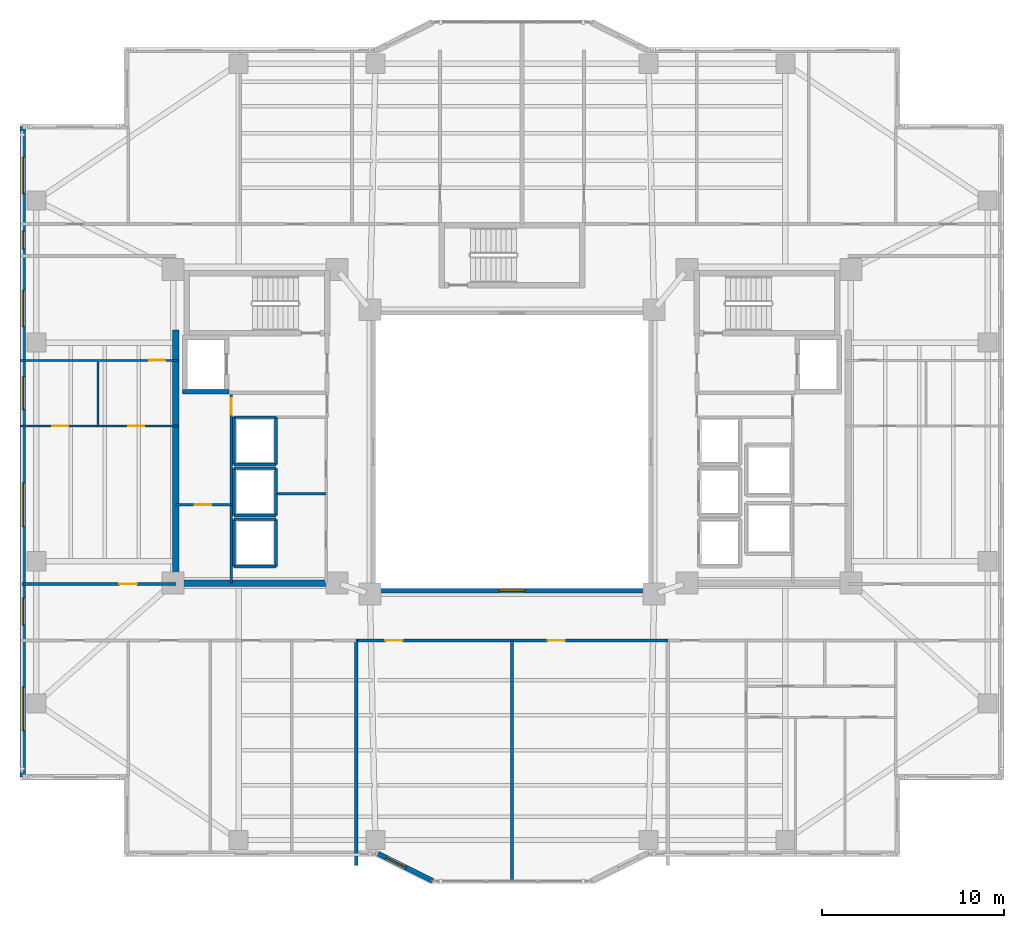
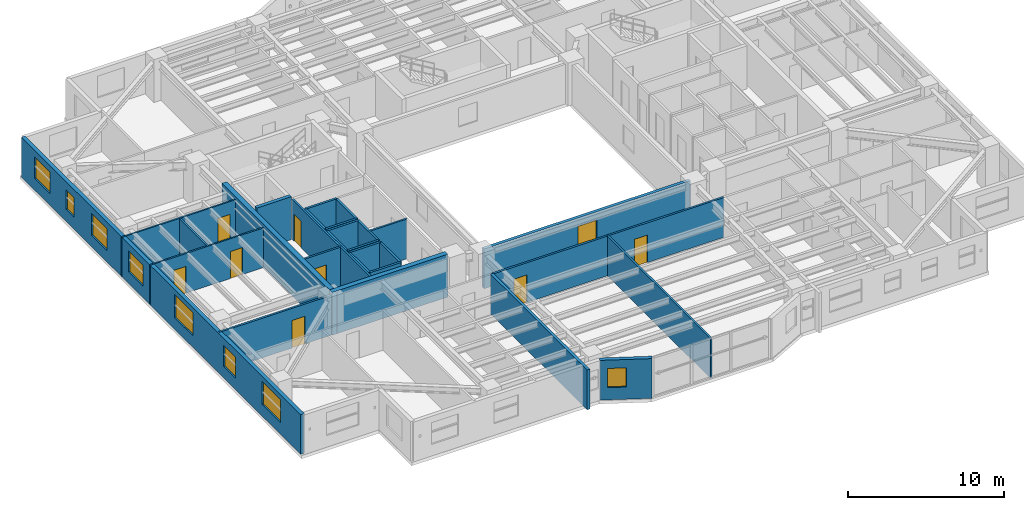
# One storey, part 6 of 18: 28 walls, 9 windows, 8 doors, 17 openings.
"""IFC4 building model written with IfcOpenShell, lengths in metres."""

from ifc_helpers import new_model, si_unit, direction, frame, frame_2d, origin, place, context, subcontext, project, spatial, rectangle, extrude, material, layer, layer_set, type_object, element, fill, save


model = new_model("IFC4")

# Units and contexts
model_context = context("Model", 3, precision=1e-05, world=origin(), true_north=direction((0.0, 1.0)))
body_context = subcontext(model_context, "Body", "Model", "MODEL_VIEW")
ifc_project = project(units=[si_unit("LENGTHUNIT", "METRE"), si_unit("AREAUNIT", "SQUARE_METRE"), si_unit("VOLUMEUNIT", "CUBIC_METRE"), si_unit("PLANEANGLEUNIT", "RADIAN"), si_unit("MASSUNIT", "GRAM", prefix="KILO")], contexts=[model_context])

# Site, building, storey
site_placement = place(None, origin())
site = spatial("IfcSite", under=ifc_project, at=site_placement, CompositionType="ELEMENT")
building_placement = place(site_placement, origin())
building = spatial("IfcBuilding", under=site, at=building_placement, Name="Tarnavaz Court Tower", CompositionType="ELEMENT")
storey_placement = place(building_placement, frame((0.0, 0.0, 105.10009765625)))
storey = spatial("IfcBuildingStorey", under=building, at=storey_placement, Name="L28", CompositionType="ELEMENT", Elevation=105.10009765625)

# Walls
ifc_material_1 = material(Name="Concrete C60/75", Category="concrete")
ifc_layer_1 = layer(ifc_material_1, 0.25)
ifc_layer_set_1 = layer_set([ifc_layer_1], Name="Concrete C60/75")
wall_type_1 = type_object("IfcWallType", Name="WL-CORE-250-C60", PredefinedType="SHEAR", material=ifc_layer_set_1)
wall_1_placement = place(storey_placement, frame((-18.074951171875, 3.300048828125, 0.0), z_axis=(0.0, 0.0, 1.0), x_axis=(1.0, 0.0, 0.0)))
element("IfcWall", 1, at=wall_1_placement, inside=storey, type_object=wall_type_1, Name="L28 Lift FL-W1 Shaft Wall 019", PredefinedType="SHEAR", context=body_context, shape_type="SweptSolid", body=[
    extrude(rectangle(XDim=2.550048828125, YDim=0.25, at=frame_2d((1.27490234375, 0.0))), origin(), (0.0, 0.0, 1.0), 3.349853515625),
])
ifc_layer_2 = layer(ifc_material_1, 0.35009765625)
ifc_layer_set_2 = layer_set([ifc_layer_2], Name="Concrete C60/75")
wall_type_2 = type_object("IfcWallType", Name="WL-CORE-350-C60", PredefinedType="SHEAR", material=ifc_layer_set_2)
wall_2_placement = place(storey_placement, frame((-18.449951171875, -7.375, 0.0), z_axis=(0.0, 0.0, 1.0), x_axis=(0.0, 1.0, 0.0)))
element("IfcWall", 2, at=wall_2_placement, inside=storey, type_object=wall_type_2, Name="L28 West Core Shear Wall 057", PredefinedType="SHEAR", context=body_context, shape_type="SweptSolid", body=[
    extrude(rectangle(XDim=14.050048828125, YDim=0.35009765625, at=frame_2d((7.02490234375, 0.0))), origin(), (0.0, 0.0, 1.0), 3.349853515625),
])
wall_3_placement = place(storey_placement, frame((-18.625, -7.199951171875, 0.0), z_axis=(0.0, 0.0, 1.0), x_axis=(1.0, 0.0, 0.0)))
element("IfcWall", 3, at=wall_3_placement, inside=storey, type_object=wall_type_2, Name="L28 West Core South Shear Wall 058", PredefinedType="SHEAR", context=body_context, shape_type="SweptSolid", body=[
    extrude(rectangle(XDim=8.550048828125, YDim=0.35009765625, at=frame_2d((4.27490234375, 0.0))), origin(), (0.0, 0.0, 1.0), 3.349853515625),
])

# Wall, openings, windows
ifc_material_2 = material(Name="Precast Concrete C40/50", Category="concrete")
ifc_layer_3 = layer(ifc_material_2, 0.280029296875)
ifc_layer_set_3 = layer_set([ifc_layer_3], Name="Precast Concrete C40/50")
wall_type_3 = type_object("IfcWallType", Name="WL-EXT-280", PredefinedType="SOLIDWALL", material=ifc_layer_set_3)
wall_4_placement = place(storey_placement, frame((-26.85009765625, -17.85009765625, 0.0), z_axis=(0.0, 0.0, 1.0), x_axis=(0.0, 1.0, 0.0)))
wall_4 = element("IfcWall", 4, at=wall_4_placement, inside=storey, type_object=wall_type_3, Name="L28 Exterior Terracotta Facade Wall 02", PredefinedType="SOLIDWALL", context=body_context, shape_type="SweptSolid", body=[
    extrude(rectangle(XDim=35.7001953125, YDim=0.280029296875, at=frame_2d((17.85009765625, 0.0))), origin(), (0.0, 0.0, 1.0), 3.099853515625),
])
opening_1_placement = place(wall_4_placement, frame((2.550048828125, 0.0, 0.89990234375)))
opening_1 = element("IfcOpeningElement", 5, at=opening_1_placement, cuts=wall_4, Name="Opening W06", PredefinedType="OPENING", context=body_context, shape_type="SweptSolid", body=[
    extrude(rectangle(XDim=2.39990234375, YDim=1.800048828125, at=frame_2d((1.199951171875, 0.89990234375))), frame((0.0, 0.14990234375, 0.0), z_axis=(0.0, -1.0, 0.0), x_axis=(1.0, 0.0, 0.0)), (0.0, 0.0, 1.0), 0.300048828125),
])
opening_2_placement = place(wall_4_placement, frame((8.342529296875, 0.0, 0.89990234375)))
opening_2 = element("IfcOpeningElement", 6, at=opening_2_placement, cuts=wall_4, Name="Opening W03", PredefinedType="OPENING", context=body_context, shape_type="SweptSolid", body=[
    extrude(rectangle(XDim=1.5, YDim=1.64990234375, at=frame_2d((0.75, 0.824951171875))), frame((0.0, 0.14990234375, 0.0), z_axis=(0.0, -1.0, 0.0), x_axis=(1.0, 0.0, 0.0)), (0.0, 0.0, 1.0), 0.300048828125),
])
opening_3_placement = place(wall_4_placement, frame((13.75, 0.0, 0.89990234375)))
opening_3 = element("IfcOpeningElement", 7, at=opening_3_placement, cuts=wall_4, Name="Opening W06", PredefinedType="OPENING", context=body_context, shape_type="SweptSolid", body=[
    extrude(rectangle(XDim=2.39990234375, YDim=1.800048828125, at=frame_2d((1.199951171875, 0.89990234375))), frame((0.0, 0.14990234375, 0.0), z_axis=(0.0, -1.0, 0.0), x_axis=(1.0, 0.0, 0.0)), (0.0, 0.0, 1.0), 0.300048828125),
])
opening_4_placement = place(wall_4_placement, frame((20.175048828125, 0.0, 0.89990234375)))
opening_4 = element("IfcOpeningElement", 8, at=opening_4_placement, cuts=wall_4, Name="Opening W01", PredefinedType="OPENING", context=body_context, shape_type="SweptSolid", body=[
    extrude(rectangle(XDim=1.800048828125, YDim=1.64990234375, at=frame_2d((0.89990234375, 0.824951171875))), frame((0.0, 0.14990234375, 0.0), z_axis=(0.0, -1.0, 0.0), x_axis=(1.0, 0.0, 0.0)), (0.0, 0.0, 1.0), 0.300048828125),
])
opening_5_placement = place(wall_4_placement, frame((24.72509765625, 0.0, 0.89990234375)))
opening_5 = element("IfcOpeningElement", 9, at=opening_5_placement, cuts=wall_4, Name="Opening W08", PredefinedType="OPENING", context=body_context, shape_type="SweptSolid", body=[
    extrude(rectangle(XDim=2.0, YDim=1.699951171875, at=frame_2d((1.0, 0.85009765625))), frame((0.0, 0.14990234375, 0.0), z_axis=(0.0, -1.0, 0.0), x_axis=(1.0, 0.0, 0.0)), (0.0, 0.0, 1.0), 0.300048828125),
])
opening_6_placement = place(wall_4_placement, frame((28.97509765625, 0.0, 0.949951171875)))
opening_6 = element("IfcOpeningElement", 10, at=opening_6_placement, cuts=wall_4, Name="Opening W14", PredefinedType="OPENING", context=body_context, shape_type="SweptSolid", body=[
    extrude(rectangle(XDim=1.0, YDim=1.5, at=frame_2d((0.5, 0.75))), frame((0.0, 0.14990234375, 0.0), z_axis=(0.0, -1.0, 0.0), x_axis=(1.0, 0.0, 0.0)), (0.0, 0.0, 1.0), 0.300048828125),
])
opening_7_placement = place(wall_4_placement, frame((32.02490234375, 0.0, 0.89990234375)))
opening_7 = element("IfcOpeningElement", 11, at=opening_7_placement, cuts=wall_4, Name="Opening W08", PredefinedType="OPENING", context=body_context, shape_type="SweptSolid", body=[
    extrude(rectangle(XDim=2.0, YDim=1.699951171875, at=frame_2d((1.0, 0.85009765625))), frame((0.0, 0.14990234375, 0.0), z_axis=(0.0, -1.0, 0.0), x_axis=(1.0, 0.0, 0.0)), (0.0, 0.0, 1.0), 0.300048828125),
])
ifc_material_3 = material(Name="Double-Glazed Solar Low-E Glass", Category="glass")
window_type_1 = type_object("IfcWindowType", Name="WN-APT-1000", PartitioningType="SINGLE_PANEL", PredefinedType="WINDOW", material=ifc_material_3)
window_1_placement = place(opening_6_placement, origin())
window_1 = element("IfcWindow", 12, at=window_1_placement, inside=storey, type_object=window_type_1, Name="L28 North-West Corner Corridor Window", OverallHeight=1.5, OverallWidth=1.0, PartitioningType="SINGLE_PANEL", PredefinedType="WINDOW", context=body_context, shape_type="SweptSolid", body=[
    extrude(rectangle(XDim=1.0, YDim=1.5, at=frame_2d((0.5, 0.75))), frame((0.0, 0.030029296875, 0.0), z_axis=(0.0, -1.0, 0.0), x_axis=(1.0, 0.0, 0.0)), (0.0, 0.0, 1.0), 0.06005859375),
])
fill(opening_6, window_1)
window_type_2 = type_object("IfcWindowType", Name="WN-APT-1500", PartitioningType="DOUBLE_PANEL_VERTICAL", PredefinedType="WINDOW", material=ifc_material_3)
window_2_placement = place(opening_2_placement, origin())
window_2 = element("IfcWindow", 13, at=window_2_placement, inside=storey, type_object=window_type_2, Name="L28 South-West Corner Corridor Window", OverallHeight=1.64990234375, OverallWidth=1.5, PartitioningType="SINGLE_PANEL", PredefinedType="WINDOW", context=body_context, shape_type="SweptSolid", body=[
    extrude(rectangle(XDim=1.5, YDim=1.64990234375, at=frame_2d((0.75, 0.824951171875))), frame((0.0, 0.030029296875, 0.0), z_axis=(0.0, -1.0, 0.0), x_axis=(1.0, 0.0, 0.0)), (0.0, 0.0, 1.0), 0.06005859375),
])
fill(opening_2, window_2)
window_type_3 = type_object("IfcWindowType", Name="WN-APT-1800", PartitioningType="DOUBLE_PANEL_VERTICAL", PredefinedType="WINDOW", material=ifc_material_3)
window_3_placement = place(opening_4_placement, origin())
window_3 = element("IfcWindow", 14, at=window_3_placement, inside=storey, type_object=window_type_3, Name="L28 Flat 02 Kitchen Window", OverallHeight=1.64990234375, OverallWidth=1.800048828125, PartitioningType="SINGLE_PANEL", PredefinedType="WINDOW", context=body_context, shape_type="SweptSolid", body=[
    extrude(rectangle(XDim=1.800048828125, YDim=1.64990234375, at=frame_2d((0.89990234375, 0.824951171875))), frame((0.0, 0.030029296875, 0.0), z_axis=(0.0, -1.0, 0.0), x_axis=(1.0, 0.0, 0.0)), (0.0, 0.0, 1.0), 0.06005859375),
])
fill(opening_4, window_3)
window_type_4 = type_object("IfcWindowType", Name="WN-APT-2000", PartitioningType="DOUBLE_PANEL_VERTICAL", PredefinedType="WINDOW", material=ifc_material_3)
window_4_placement = place(opening_5_placement, origin())
window_4 = element("IfcWindow", 15, at=window_4_placement, inside=storey, type_object=window_type_4, Name="L28 Flat 02 Study Room Window", OverallHeight=1.699951171875, OverallWidth=2.0, PartitioningType="SINGLE_PANEL", PredefinedType="WINDOW", context=body_context, shape_type="SweptSolid", body=[
    extrude(rectangle(XDim=2.0, YDim=1.699951171875, at=frame_2d((1.0, 0.85009765625))), frame((0.0, 0.030029296875, 0.0), z_axis=(0.0, -1.0, 0.0), x_axis=(1.0, 0.0, 0.0)), (0.0, 0.0, 1.0), 0.06005859375),
])
fill(opening_5, window_4)
window_5_placement = place(opening_7_placement, origin())
window_5 = element("IfcWindow", 16, at=window_5_placement, inside=storey, type_object=window_type_4, Name="L28 North-West Corner Sunroom Study Window", OverallHeight=1.699951171875, OverallWidth=2.0, PartitioningType="SINGLE_PANEL", PredefinedType="WINDOW", context=body_context, shape_type="SweptSolid", body=[
    extrude(rectangle(XDim=2.0, YDim=1.699951171875, at=frame_2d((1.0, 0.85009765625))), frame((0.0, 0.030029296875, 0.0), z_axis=(0.0, -1.0, 0.0), x_axis=(1.0, 0.0, 0.0)), (0.0, 0.0, 1.0), 0.06005859375),
])
fill(opening_7, window_5)
window_type_5 = type_object("IfcWindowType", Name="WN-APT-2400", PartitioningType="TRIPLE_PANEL_VERTICAL", PredefinedType="WINDOW", material=ifc_material_3)
window_6_placement = place(opening_1_placement, origin())
window_6 = element("IfcWindow", 17, at=window_6_placement, inside=storey, type_object=window_type_5, Name="L28 South-West Corner Reading Room Window", OverallHeight=1.800048828125, OverallWidth=2.39990234375, PartitioningType="SINGLE_PANEL", PredefinedType="WINDOW", context=body_context, shape_type="SweptSolid", body=[
    extrude(rectangle(XDim=2.39990234375, YDim=1.800048828125, at=frame_2d((1.199951171875, 0.89990234375))), frame((0.0, 0.030029296875, 0.0), z_axis=(0.0, -1.0, 0.0), x_axis=(1.0, 0.0, 0.0)), (0.0, 0.0, 1.0), 0.06005859375),
])
fill(opening_1, window_6)
window_7_placement = place(opening_3_placement, origin())
window_7 = element("IfcWindow", 18, at=window_7_placement, inside=storey, type_object=window_type_5, Name="L28 Flat 02 Studio Living and Sleeping Room Window", OverallHeight=1.800048828125, OverallWidth=2.39990234375, PartitioningType="SINGLE_PANEL", PredefinedType="WINDOW", context=body_context, shape_type="SweptSolid", body=[
    extrude(rectangle(XDim=2.39990234375, YDim=1.800048828125, at=frame_2d((1.199951171875, 0.89990234375))), frame((0.0, 0.030029296875, 0.0), z_axis=(0.0, -1.0, 0.0), x_axis=(1.0, 0.0, 0.0)), (0.0, 0.0, 1.0), 0.06005859375),
])
fill(opening_3, window_7)

# Wall, opening, window
wall_5_placement = place(storey_placement, frame((-4.35009765625, -23.550048828125, 0.0), z_axis=(0.0, 0.0, 1.0), x_axis=(-0.894427191, 0.4472135955, 0.0)))
wall_5 = element("IfcWall", 19, at=wall_5_placement, inside=storey, type_object=wall_type_3, Name="L28 Exterior Terracotta Facade Wall 18", PredefinedType="SOLIDWALL", context=body_context, shape_type="SweptSolid", body=[
    extrude(rectangle(XDim=3.35400390625, YDim=0.280029296875, at=frame_2d((1.677001953125, 0.0))), origin(), (0.0, 0.0, 1.0), 3.099853515625),
])
opening_8_placement = place(wall_5_placement, frame((1.65283203125, 0.0, 0.949951171875)))
opening_8 = element("IfcOpeningElement", 20, at=opening_8_placement, cuts=wall_5, Name="Opening W05", PredefinedType="OPENING", context=body_context, shape_type="SweptSolid", body=[
    extrude(rectangle(XDim=1.199951171875, YDim=1.5, at=frame_2d((0.60009765625, 0.75))), frame((0.0, 0.14990234375, 0.0), z_axis=(0.0, -1.0, 0.0), x_axis=(1.0, 0.0, 0.0)), (0.0, 0.0, 1.0), 0.300048828125),
])
window_type_6 = type_object("IfcWindowType", Name="WN-APT-1200", PartitioningType="SINGLE_PANEL", PredefinedType="WINDOW", material=ifc_material_3)
window_8_placement = place(opening_8_placement, origin())
window_8 = element("IfcWindow", 21, at=window_8_placement, inside=storey, type_object=window_type_6, Name="L28 South Courtyard Majlis Lounge Window", OverallHeight=1.5, OverallWidth=1.199951171875, PartitioningType="SINGLE_PANEL", PredefinedType="WINDOW", context=body_context, shape_type="SweptSolid", body=[
    extrude(rectangle(XDim=1.199951171875, YDim=1.5, at=frame_2d((0.60009765625, 0.75))), frame((0.0, 0.030029296875, 0.0), z_axis=(0.0, -1.0, 0.0), x_axis=(1.0, 0.0, 0.0)), (0.0, 0.0, 1.0), 0.06005859375),
])
fill(opening_8, window_8)

# Wall, openings, doors
ifc_material_4 = material(Name="Gypsum Fire-Board on Acoustic Metal Stud", Category="masonry")
ifc_layer_4 = layer(ifc_material_4, 0.14990234375)
ifc_layer_set_4 = layer_set([ifc_layer_4], Name="Gypsum Fire-Board on Acoustic Metal Stud")
wall_type_4 = type_object("IfcWallType", Name="WL-FIRE-150", PredefinedType="PARTITIONING", material=ifc_layer_set_4)
wall_6_placement = place(storey_placement, frame((-8.550048828125, -10.35009765625, 0.0), z_axis=(0.0, 0.0, 1.0), x_axis=(1.0, 0.0, 0.0)))
wall_6 = element("IfcWall", 22, at=wall_6_placement, inside=storey, type_object=wall_type_4, Name="L28 Interior Partition 093", PredefinedType="PARTITIONING", context=body_context, shape_type="SweptSolid", body=[
    extrude(rectangle(XDim=17.10009765625, YDim=0.14990234375, at=frame_2d((8.550048828125, 0.0))), origin(), (0.0, 0.0, 1.0), 3.099853515625),
])
opening_9_placement = place(wall_6_placement, frame((1.60009765625, 0.0, 0.0)))
opening_9 = element("IfcOpeningElement", 23, at=opening_9_placement, cuts=wall_6, Name="Opening D13", PredefinedType="OPENING", context=body_context, shape_type="SweptSolid", body=[
    extrude(rectangle(XDim=0.949951171875, YDim=2.14990234375, at=frame_2d((0.47509765625, 1.074951171875))), frame((0.0, 0.0849609375, 0.0), z_axis=(0.0, -1.0, 0.0), x_axis=(1.0, 0.0, 0.0)), (0.0, 0.0, 1.0), 0.169921875),
])
opening_10_placement = place(wall_6_placement, frame((10.5, 0.0, 0.0)))
opening_10 = element("IfcOpeningElement", 24, at=opening_10_placement, cuts=wall_6, Name="Opening D13", PredefinedType="OPENING", context=body_context, shape_type="SweptSolid", body=[
    extrude(rectangle(XDim=0.949951171875, YDim=2.14990234375, at=frame_2d((0.47509765625, 1.074951171875))), frame((0.0, 0.0849609375, 0.0), z_axis=(0.0, -1.0, 0.0), x_axis=(1.0, 0.0, 0.0)), (0.0, 0.0, 1.0), 0.169921875),
])
ifc_material_5 = material(Name="Engineered Oak Timber", Category="wood")
door_type_1 = type_object("IfcDoorType", Name="DR-INT-950", OperationType="NOTDEFINED", PredefinedType="DOOR", material=ifc_material_5)
door_1_placement = place(opening_9_placement, origin())
door_1 = element("IfcDoor", 25, at=door_1_placement, inside=storey, type_object=door_type_1, Name="L28 South Majlis Lounge Door", OperationType="SINGLE_SWING_LEFT", OverallHeight=2.14990234375, OverallWidth=0.949951171875, PredefinedType="DOOR", context=body_context, shape_type="SweptSolid", body=[
    extrude(rectangle(XDim=0.949951171875, YDim=2.14990234375, at=frame_2d((0.47509765625, 1.074951171875))), frame((0.0, 0.02490234375, 0.0), z_axis=(0.0, -1.0, 0.0), x_axis=(1.0, 0.0, 0.0)), (0.0, 0.0, 1.0), 0.050048828125),
])
fill(opening_9, door_1)
door_2_placement = place(opening_10_placement, origin())
door_2 = element("IfcDoor", 26, at=door_2_placement, inside=storey, type_object=door_type_1, Name="L28 South Reading Room Door", OperationType="SINGLE_SWING_RIGHT", OverallHeight=2.14990234375, OverallWidth=0.949951171875, PredefinedType="DOOR", context=body_context, shape_type="SweptSolid", body=[
    extrude(rectangle(XDim=0.949951171875, YDim=2.14990234375, at=frame_2d((0.47509765625, 1.074951171875))), frame((0.0, 0.02490234375, 0.0), z_axis=(0.0, -1.0, 0.0), x_axis=(1.0, 0.0, 0.0)), (0.0, 0.0, 1.0), 0.050048828125),
])
fill(opening_10, door_2)

# Wall, opening, door
wall_7_placement = place(storey_placement, frame((-26.8798828125, -7.25, 0.0), z_axis=(0.0, 0.0, 1.0), x_axis=(1.0, 0.0, 0.0)))
wall_7 = element("IfcWall", 27, at=wall_7_placement, inside=storey, type_object=wall_type_4, Name="L28 Interior Partition 095", PredefinedType="PARTITIONING", context=body_context, shape_type="SweptSolid", body=[
    extrude(rectangle(XDim=8.429931640625, YDim=0.14990234375, at=frame_2d((4.21484375, 0.0))), origin(), (0.0, 0.0, 1.0), 3.099853515625),
])
opening_11_placement = place(wall_7_placement, frame((5.330078125, 0.0, 0.0)))
opening_11 = element("IfcOpeningElement", 28, at=opening_11_placement, cuts=wall_7, Name="Opening D06", PredefinedType="OPENING", context=body_context, shape_type="SweptSolid", body=[
    extrude(rectangle(XDim=0.9599609375, YDim=2.14990234375, at=frame_2d((0.47998046875, 1.074951171875))), frame((0.0, 0.0849609375, 0.0), z_axis=(0.0, -1.0, 0.0), x_axis=(1.0, 0.0, 0.0)), (0.0, 0.0, 1.0), 0.169921875),
])
ifc_material_6 = material(Name="Fire-Rated Hardwood Timber Core", Category="wood")
door_type_2 = type_object("IfcDoorType", Name="DR-FD60-950", OperationType="NOTDEFINED", PredefinedType="DOOR", material=ifc_material_6)
door_3_placement = place(opening_11_placement, origin())
door_3 = element("IfcDoor", 29, at=door_3_placement, inside=storey, type_object=door_type_2, Name="L28 Flat 02 Entrance Door", OperationType="SINGLE_SWING_LEFT", OverallHeight=2.14990234375, OverallWidth=0.9599609375, PredefinedType="DOOR", context=body_context, shape_type="SweptSolid", body=[
    extrude(rectangle(XDim=0.9599609375, YDim=2.14990234375, at=frame_2d((0.47998046875, 1.074951171875))), frame((0.0, 0.02490234375, 0.0), z_axis=(0.0, -1.0, 0.0), x_axis=(1.0, 0.0, 0.0)), (0.0, 0.0, 1.0), 0.050048828125),
])
fill(opening_11, door_3)

# Wall
ifc_material_7 = material(Name="Autoclaved Aerated Concrete Blockwork", Category="masonry")
ifc_layer_5 = layer(ifc_material_7, 0.199951171875)
ifc_layer_set_5 = layer_set([ifc_layer_5], Name="Autoclaved Aerated Concrete Blockwork")
wall_type_5 = type_object("IfcWallType", Name="WL-FIRE-200", PredefinedType="SOLIDWALL", material=ifc_layer_set_5)
wall_8_placement = place(storey_placement, frame((-8.550048828125, -22.7041015625, 0.0), z_axis=(0.0, 0.0, 1.0), x_axis=(0.0, 1.0, 0.0)))
element("IfcWall", 30, at=wall_8_placement, inside=storey, type_object=wall_type_5, Name="L28 Party Wall 091", PredefinedType="SOLIDWALL", context=body_context, shape_type="SweptSolid", body=[
    extrude(rectangle(XDim=12.35400390625, YDim=0.199951171875, at=frame_2d((6.177001953125, 0.0))), origin(), (0.0, 0.0, 1.0), 3.099853515625),
])

# Wall, openings, doors
ifc_material_8 = material(Name="Moisture-Resistant Gypsum Board Partition", Category="masonry")
ifc_layer_6 = layer(ifc_material_8, 0.1201171875)
ifc_layer_set_6 = layer_set([ifc_layer_6], Name="Moisture-Resistant Gypsum Board Partition")
wall_type_6 = type_object("IfcWallType", Name="WL-PART-120", PredefinedType="PARTITIONING", material=ifc_layer_set_6)
wall_9_placement = place(storey_placement, frame((-27.0, 1.419921875, 0.0), z_axis=(0.0, 0.0, 1.0), x_axis=(1.0, 0.0, 0.0)))
wall_9 = element("IfcWall", 31, at=wall_9_placement, inside=storey, type_object=wall_type_6, Name="L28 Interior Partition 107", PredefinedType="PARTITIONING", context=body_context, shape_type="SweptSolid", body=[
    extrude(rectangle(XDim=8.669921875, YDim=0.1201171875, at=frame_2d((4.3349609375, 0.0))), origin(), (0.0, 0.0, 1.0), 3.099853515625),
])
opening_12_placement = place(wall_9_placement, frame((1.762939453125, 0.0, 0.0)))
opening_12 = element("IfcOpeningElement", 32, at=opening_12_placement, cuts=wall_9, Name="Opening D14", PredefinedType="OPENING", context=body_context, shape_type="SweptSolid", body=[
    extrude(rectangle(XDim=0.8798828125, YDim=2.10009765625, at=frame_2d((0.43994140625, 1.050048828125))), frame((0.0, 0.070068359375, 0.0), z_axis=(0.0, -1.0, 0.0), x_axis=(1.0, 0.0, 0.0)), (0.0, 0.0, 1.0), 0.14013671875),
])
opening_13_placement = place(wall_9_placement, frame((5.927978515625, 0.0, 0.0)))
opening_13 = element("IfcOpeningElement", 33, at=opening_13_placement, cuts=wall_9, Name="Opening D14", PredefinedType="OPENING", context=body_context, shape_type="SweptSolid", body=[
    extrude(rectangle(XDim=0.8798828125, YDim=2.10009765625, at=frame_2d((0.43994140625, 1.050048828125))), frame((0.0, 0.070068359375, 0.0), z_axis=(0.0, -1.0, 0.0), x_axis=(1.0, 0.0, 0.0)), (0.0, 0.0, 1.0), 0.14013671875),
])
door_type_3 = type_object("IfcDoorType", Name="DR-INT-900", OperationType="NOTDEFINED", PredefinedType="DOOR", material=ifc_material_5)
door_4_placement = place(opening_12_placement, origin())
door_4 = element("IfcDoor", 34, at=door_4_placement, inside=storey, type_object=door_type_3, Name="L28 Flat 02 Kitchen Door", OperationType="SINGLE_SWING_RIGHT", OverallHeight=2.10009765625, OverallWidth=0.8798828125, PredefinedType="DOOR", context=body_context, shape_type="SweptSolid", body=[
    extrude(rectangle(XDim=0.8798828125, YDim=2.10009765625, at=frame_2d((0.43994140625, 1.050048828125))), frame((0.0, 0.02490234375, 0.0), z_axis=(0.0, -1.0, 0.0), x_axis=(1.0, 0.0, 0.0)), (0.0, 0.0, 1.0), 0.050048828125),
])
fill(opening_12, door_4)
door_5_placement = place(opening_13_placement, origin())
door_5 = element("IfcDoor", 35, at=door_5_placement, inside=storey, type_object=door_type_3, Name="L28 Flat 02 Bathroom Door", OperationType="SINGLE_SWING_LEFT", OverallHeight=2.10009765625, OverallWidth=0.8798828125, PredefinedType="DOOR", context=body_context, shape_type="SweptSolid", body=[
    extrude(rectangle(XDim=0.8798828125, YDim=2.10009765625, at=frame_2d((0.43994140625, 1.050048828125))), frame((0.0, 0.02490234375, 0.0), z_axis=(0.0, -1.0, 0.0), x_axis=(1.0, 0.0, 0.0)), (0.0, 0.0, 1.0), 0.050048828125),
])
fill(opening_13, door_5)

# Wall, opening, door
wall_10_placement = place(storey_placement, frame((-27.0, 5.02001953125, 0.0), z_axis=(0.0, 0.0, 1.0), x_axis=(1.0, 0.0, 0.0)))
wall_10 = element("IfcWall", 36, at=wall_10_placement, inside=storey, type_object=wall_type_6, Name="L28 Interior Partition 108", PredefinedType="PARTITIONING", context=body_context, shape_type="SweptSolid", body=[
    extrude(rectangle(XDim=8.669921875, YDim=0.1201171875, at=frame_2d((4.3349609375, 0.0))), origin(), (0.0, 0.0, 1.0), 3.099853515625),
])
opening_14_placement = place(wall_10_placement, frame((7.10009765625, 0.0, 0.0)))
opening_14 = element("IfcOpeningElement", 37, at=opening_14_placement, cuts=wall_10, Name="Opening D14", PredefinedType="OPENING", context=body_context, shape_type="SweptSolid", body=[
    extrude(rectangle(XDim=0.8798828125, YDim=2.10009765625, at=frame_2d((0.43994140625, 1.050048828125))), frame((0.0, 0.070068359375, 0.0), z_axis=(0.0, -1.0, 0.0), x_axis=(1.0, 0.0, 0.0)), (0.0, 0.0, 1.0), 0.14013671875),
])
door_6_placement = place(opening_14_placement, origin())
door_6 = element("IfcDoor", 38, at=door_6_placement, inside=storey, type_object=door_type_3, Name="L28 Flat 02 Study Door", OperationType="SINGLE_SWING_RIGHT", OverallHeight=2.10009765625, OverallWidth=0.8798828125, PredefinedType="DOOR", context=body_context, shape_type="SweptSolid", body=[
    extrude(rectangle(XDim=0.8798828125, YDim=2.10009765625, at=frame_2d((0.43994140625, 1.050048828125))), frame((0.0, 0.02490234375, 0.0), z_axis=(0.0, -1.0, 0.0), x_axis=(1.0, 0.0, 0.0)), (0.0, 0.0, 1.0), 0.050048828125),
])
fill(opening_14, door_6)

# Wall
wall_11_placement = place(storey_placement, frame((-22.715087890625, 1.360107421875, 0.0), z_axis=(0.0, 0.0, 1.0), x_axis=(0.0, 1.0, 0.0)))
element("IfcWall", 39, at=wall_11_placement, inside=storey, type_object=wall_type_6, Name="L28 Interior Partition 109", PredefinedType="PARTITIONING", context=body_context, shape_type="SweptSolid", body=[
    extrude(rectangle(XDim=3.579833984375, YDim=0.1201171875, at=frame_2d((1.7900390625, 0.0))), origin(), (0.0, 0.0, 1.0), 3.099853515625),
])

# Wall, opening, door
ifc_material_9 = material(Name="Gypsum Plasterboard Acoustic Partition", Category="masonry")
ifc_layer_7 = layer(ifc_material_9, 0.139892578125)
ifc_layer_set_7 = layer_set([ifc_layer_7], Name="Gypsum Plasterboard Acoustic Partition")
wall_type_7 = type_object("IfcWallType", Name="WL-PART-150", PredefinedType="PARTITIONING", material=ifc_layer_set_7)
wall_12_placement = place(storey_placement, frame((-15.39990234375, -7.199951171875, 0.0), z_axis=(0.0, 0.0, 1.0), x_axis=(0.0, 1.0, 0.0)))
wall_12 = element("IfcWall", 40, at=wall_12_placement, inside=storey, type_object=wall_type_7, Name="L28 Interior Partition 063", PredefinedType="PARTITIONING", context=body_context, shape_type="SweptSolid", body=[
    extrude(rectangle(XDim=10.449951171875, YDim=0.139892578125, at=frame_2d((5.22509765625, 0.0))), origin(), (0.0, 0.0, 1.0), 3.099853515625),
])
opening_15_placement = place(wall_12_placement, frame((9.25, 0.0, 0.0)))
opening_15 = element("IfcOpeningElement", 41, at=opening_15_placement, cuts=wall_12, Name="Opening D09", PredefinedType="OPENING", context=body_context, shape_type="SweptSolid", body=[
    extrude(rectangle(XDim=0.89990234375, YDim=2.080078125, at=frame_2d((0.449951171875, 1.0400390625))), frame((0.0, 0.079833984375, 0.0), z_axis=(0.0, -1.0, 0.0), x_axis=(1.0, 0.0, 0.0)), (0.0, 0.0, 1.0), 0.159912109375),
])
door_type_4 = type_object("IfcDoorType", Name="DR-FD30-900", OperationType="NOTDEFINED", PredefinedType="DOOR", material=ifc_material_6)
door_7_placement = place(opening_15_placement, origin())
door_7 = element("IfcDoor", 42, at=door_7_placement, inside=storey, type_object=door_type_4, Name="L28 West Valve Room Door", OperationType="SINGLE_SWING_RIGHT", OverallHeight=2.080078125, OverallWidth=0.89990234375, PredefinedType="DOOR", context=body_context, shape_type="SweptSolid", body=[
    extrude(rectangle(XDim=0.89990234375, YDim=2.080078125, at=frame_2d((0.449951171875, 1.0400390625))), frame((0.0, 0.02490234375, 0.0), z_axis=(0.0, -1.0, 0.0), x_axis=(1.0, 0.0, 0.0)), (0.0, 0.0, 1.0), 0.050048828125),
])
fill(opening_15, door_7)

wall_13_placement = place(storey_placement, frame((-18.449951171875, -2.89990234375, 0.0), z_axis=(0.0, 0.0, 1.0), x_axis=(1.0, 0.0, 0.0)))
wall_13 = element("IfcWall", 43, at=wall_13_placement, inside=storey, type_object=wall_type_7, Name="L28 Interior Partition 064", PredefinedType="PARTITIONING", context=body_context, shape_type="SweptSolid", body=[
    extrude(rectangle(XDim=3.050048828125, YDim=0.139892578125, at=frame_2d((1.52490234375, 0.0))), origin(), (0.0, 0.0, 1.0), 3.099853515625),
])
opening_16_placement = place(wall_13_placement, frame((1.050048828125, 0.0, 0.0)))
opening_16 = element("IfcOpeningElement", 44, at=opening_16_placement, cuts=wall_13, Name="Opening D09", PredefinedType="OPENING", context=body_context, shape_type="SweptSolid", body=[
    extrude(rectangle(XDim=0.89990234375, YDim=2.080078125, at=frame_2d((0.449951171875, 1.0400390625))), frame((0.0, 0.079833984375, 0.0), z_axis=(0.0, -1.0, 0.0), x_axis=(1.0, 0.0, 0.0)), (0.0, 0.0, 1.0), 0.159912109375),
])
door_8_placement = place(opening_16_placement, origin())
door_8 = element("IfcDoor", 45, at=door_8_placement, inside=storey, type_object=door_type_4, Name="L28 West Power Plant Door", OperationType="SINGLE_SWING_LEFT", OverallHeight=2.080078125, OverallWidth=0.89990234375, PredefinedType="DOOR", context=body_context, shape_type="SweptSolid", body=[
    extrude(rectangle(XDim=0.89990234375, YDim=2.080078125, at=frame_2d((0.449951171875, 1.0400390625))), frame((0.0, 0.02490234375, 0.0), z_axis=(0.0, -1.0, 0.0), x_axis=(1.0, 0.0, 0.0)), (0.0, 0.0, 1.0), 0.050048828125),
])
fill(opening_16, door_8)

# Walls
wall_14_placement = place(storey_placement, frame((-12.89990234375, -2.300048828125, 0.0), z_axis=(0.0, 0.0, 1.0), x_axis=(1.0, 0.0, 0.0)))
element("IfcWall", 46, at=wall_14_placement, inside=storey, type_object=wall_type_7, Name="L28 Interior Partition 066", PredefinedType="PARTITIONING", context=body_context, shape_type="SweptSolid", body=[
    extrude(rectangle(XDim=2.699951171875, YDim=0.139892578125, at=frame_2d((1.35009765625, 0.0))), origin(), (0.0, 0.0, 1.0), 3.099853515625),
])
wall_15_placement = place(storey_placement, frame((0.0, -23.580078125, 0.0), z_axis=(0.0, 0.0, 1.0), x_axis=(0.0, 1.0, 0.0)))
element("IfcWall", 47, at=wall_15_placement, inside=storey, type_object=wall_type_7, Name="L28 Interior Partition 094", PredefinedType="PARTITIONING", context=body_context, shape_type="SweptSolid", body=[
    extrude(rectangle(XDim=13.22998046875, YDim=0.139892578125, at=frame_2d((6.614990234375, 0.0))), origin(), (0.0, 0.0, 1.0), 3.099853515625),
])
ifc_layer_8 = layer(ifc_material_7, 0.159912109375)
ifc_layer_set_8 = layer_set([ifc_layer_8], Name="Autoclaved Aerated Concrete Blockwork")
wall_type_8 = type_object("IfcWallType", Name="WL-SHAFT-150", PredefinedType="SOLIDWALL", material=ifc_layer_set_8)
for number, where, z_axis, x_axis, name in (
    (48, (-15.25, -6.300048828125, 0.0), (0.0, 0.0, 1.0), (0.0, 1.0, 0.0), "L28 Lift PL-H1 Shaft Wall 021"),
    (49, (-12.949951171875, -6.300048828125, 0.0), (0.0, 0.0, 1.0), (0.0, 1.0, 0.0), "L28 Lift PL-H1 Shaft Wall 022"),
):
    element("IfcWall", number, at=place(storey_placement, frame(where, z_axis=z_axis, x_axis=x_axis)), inside=storey, type_object=wall_type_8, Name=name, PredefinedType="SOLIDWALL", context=body_context, shape_type="SweptSolid", body=[
        extrude(rectangle(XDim=2.60009765625, YDim=0.159912109375, at=frame_2d((1.300048828125, 0.0))), origin(), (0.0, 0.0, 1.0), 3.099853515625),
    ])
for number, where, z_axis, x_axis, name in (
    (50, (-15.25, -6.300048828125, 0.0), (0.0, 0.0, 1.0), (1.0, 0.0, 0.0), "L28 Lift PL-H1 Shaft Wall 023"),
    (51, (-15.25, -3.699951171875, 0.0), (0.0, 0.0, 1.0), (1.0, 0.0, 0.0), "L28 Lift PL-H1 Shaft Wall 024"),
):
    element("IfcWall", number, at=place(storey_placement, frame(where, z_axis=z_axis, x_axis=x_axis)), inside=storey, type_object=wall_type_8, Name=name, PredefinedType="SOLIDWALL", context=body_context, shape_type="SweptSolid", body=[
        extrude(rectangle(XDim=2.300048828125, YDim=0.159912109375, at=frame_2d((1.14990234375, 0.0))), origin(), (0.0, 0.0, 1.0), 3.099853515625),
    ])
for number, where, z_axis, x_axis, name in (
    (52, (-15.25, -3.5, 0.0), (0.0, 0.0, 1.0), (0.0, 1.0, 0.0), "L28 Lift PL-H2 Shaft Wall 025"),
    (53, (-12.949951171875, -3.5, 0.0), (0.0, 0.0, 1.0), (0.0, 1.0, 0.0), "L28 Lift PL-H2 Shaft Wall 026"),
):
    element("IfcWall", number, at=place(storey_placement, frame(where, z_axis=z_axis, x_axis=x_axis)), inside=storey, type_object=wall_type_8, Name=name, PredefinedType="SOLIDWALL", context=body_context, shape_type="SweptSolid", body=[
        extrude(rectangle(XDim=2.60009765625, YDim=0.159912109375, at=frame_2d((1.300048828125, 0.0))), origin(), (0.0, 0.0, 1.0), 3.099853515625),
    ])
for number, where, z_axis, x_axis, name in (
    (54, (-15.25, -3.5, 0.0), (0.0, 0.0, 1.0), (1.0, 0.0, 0.0), "L28 Lift PL-H2 Shaft Wall 027"),
    (55, (-15.25, -0.89990234375, 0.0), (0.0, 0.0, 1.0), (1.0, 0.0, 0.0), "L28 Lift PL-H2 Shaft Wall 028"),
):
    element("IfcWall", number, at=place(storey_placement, frame(where, z_axis=z_axis, x_axis=x_axis)), inside=storey, type_object=wall_type_8, Name=name, PredefinedType="SOLIDWALL", context=body_context, shape_type="SweptSolid", body=[
        extrude(rectangle(XDim=2.300048828125, YDim=0.159912109375, at=frame_2d((1.14990234375, 0.0))), origin(), (0.0, 0.0, 1.0), 3.099853515625),
    ])
for number, where, z_axis, x_axis, name in (
    (56, (-15.25, -0.699951171875, 0.0), (0.0, 0.0, 1.0), (0.0, 1.0, 0.0), "L28 Lift PL-H3 Shaft Wall 029"),
    (57, (-12.949951171875, -0.699951171875, 0.0), (0.0, 0.0, 1.0), (0.0, 1.0, 0.0), "L28 Lift PL-H3 Shaft Wall 030"),
):
    element("IfcWall", number, at=place(storey_placement, frame(where, z_axis=z_axis, x_axis=x_axis)), inside=storey, type_object=wall_type_8, Name=name, PredefinedType="SOLIDWALL", context=body_context, shape_type="SweptSolid", body=[
        extrude(rectangle(XDim=2.599853515625, YDim=0.159912109375, at=frame_2d((1.2998046875, 0.0))), origin(), (0.0, 0.0, 1.0), 3.099853515625),
    ])
for number, where, z_axis, x_axis, name in (
    (58, (-15.25, -0.699951171875, 0.0), (0.0, 0.0, 1.0), (1.0, 0.0, 0.0), "L28 Lift PL-H3 Shaft Wall 031"),
    (59, (-15.25, 1.89990234375, 0.0), (0.0, 0.0, 1.0), (1.0, 0.0, 0.0), "L28 Lift PL-H3 Shaft Wall 032"),
):
    element("IfcWall", number, at=place(storey_placement, frame(where, z_axis=z_axis, x_axis=x_axis)), inside=storey, type_object=wall_type_8, Name=name, PredefinedType="SOLIDWALL", context=body_context, shape_type="SweptSolid", body=[
        extrude(rectangle(XDim=2.300048828125, YDim=0.159912109375, at=frame_2d((1.14990234375, 0.0))), origin(), (0.0, 0.0, 1.0), 3.099853515625),
    ])

# Wall, opening, window
ifc_layer_9 = layer(ifc_material_2, 0.239990234375)
ifc_layer_set_9 = layer_set([ifc_layer_9], Name="Precast Concrete C40/50")
wall_type_9 = type_object("IfcWallType", Name="WL-WELL-240", PredefinedType="SOLIDWALL", material=ifc_layer_set_9)
wall_16_placement = place(storey_placement, frame((-7.6201171875, -7.6201171875, 0.0), z_axis=(0.0, 0.0, 1.0), x_axis=(1.0, 0.0, 0.0)))
wall_16 = element("IfcWall", 60, at=wall_16_placement, inside=storey, type_object=wall_type_9, Name="L28 Badgir Light-Well Exterior Wall S", PredefinedType="SOLIDWALL", context=body_context, shape_type="SweptSolid", body=[
    extrude(rectangle(XDim=15.240234375, YDim=0.239990234375, at=frame_2d((7.6201171875, 0.0))), origin(), (0.0, 0.0, 1.0), 3.099853515625),
])
opening_17_placement = place(wall_16_placement, frame((6.919921875, 0.0, 0.949951171875)))
opening_17 = element("IfcOpeningElement", 61, at=opening_17_placement, cuts=wall_16, Name="Opening W13", PredefinedType="OPENING", context=body_context, shape_type="SweptSolid", body=[
    extrude(rectangle(XDim=1.39990234375, YDim=1.5, at=frame_2d((0.699951171875, 0.75))), frame((0.0, 0.1298828125, 0.0), z_axis=(0.0, -1.0, 0.0), x_axis=(1.0, 0.0, 0.0)), (0.0, 0.0, 1.0), 0.260009765625),
])
window_type_7 = type_object("IfcWindowType", Name="WN-WEL-1400", PartitioningType="SINGLE_PANEL", PredefinedType="WINDOW", material=ifc_material_3)
window_9_placement = place(opening_17_placement, origin())
window_9 = element("IfcWindow", 62, at=window_9_placement, inside=storey, type_object=window_type_7, Name="L28 Courtyard Gallery Window S", OverallHeight=1.5, OverallWidth=1.39990234375, PartitioningType="SINGLE_PANEL", PredefinedType="WINDOW", context=body_context, shape_type="SweptSolid", body=[
    extrude(rectangle(XDim=1.39990234375, YDim=1.5, at=frame_2d((0.699951171875, 0.75))), frame((0.0, 0.030029296875, 0.0), z_axis=(0.0, -1.0, 0.0), x_axis=(1.0, 0.0, 0.0)), (0.0, 0.0, 1.0), 0.06005859375),
])
fill(opening_17, window_9)

save(model, "model.ifc")
